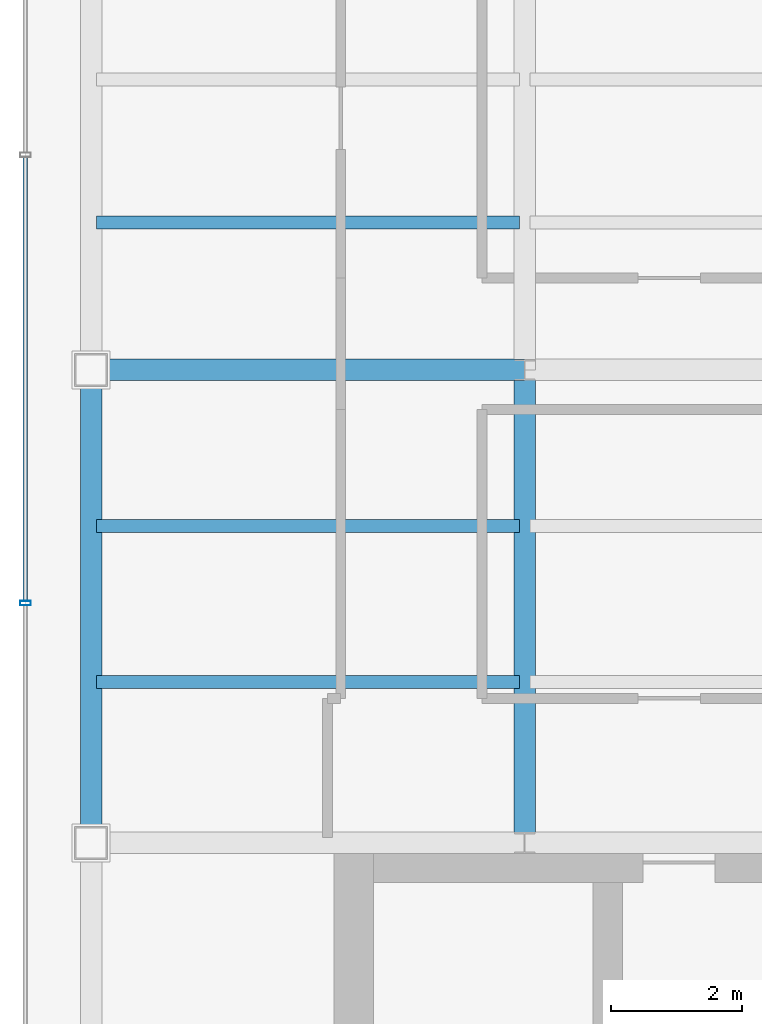
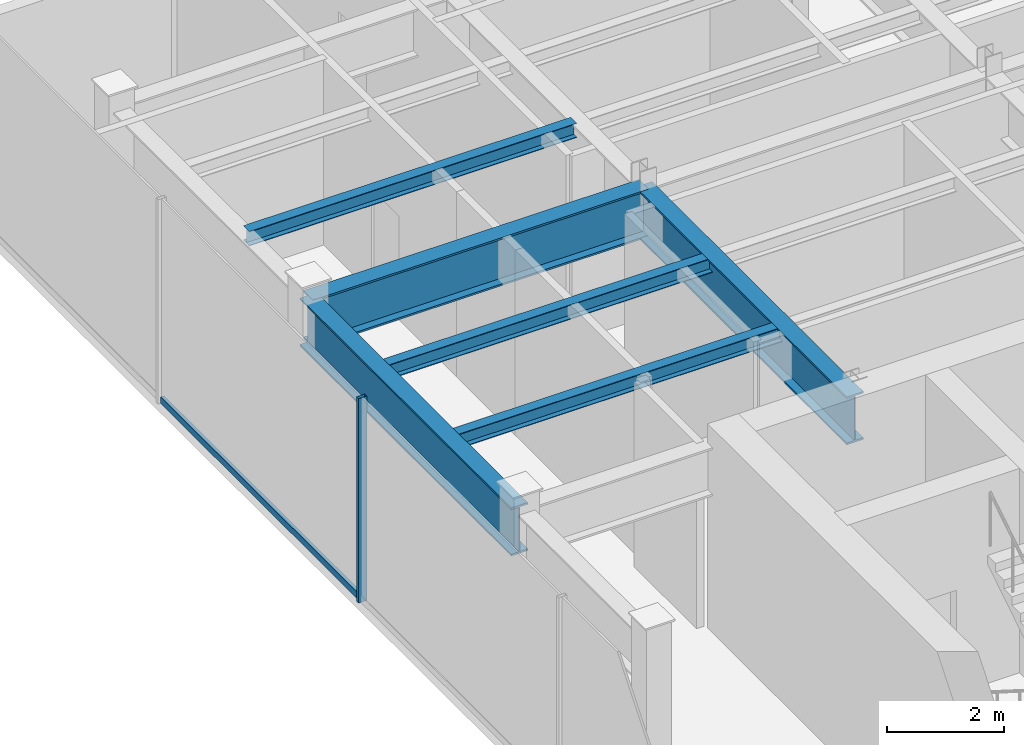
# One storey, part 5 of 24: 6 beams, 2 members, 1 element without a shape of its own.
"""IFC4 building model written with IfcOpenShell, lengths in metres."""

import ifcopenshell
import ifcopenshell.guid

model = None  # the IFC model being written
_history = None  # IfcOwnerHistory: only IFC2X3 demands one
_inside = {}  # id of a spatial element -> (the spatial element, [elements in it])
_under = {}  # id of a project, library or spatial element -> (it, [spatial elements below it])
_declared = {}  # id of a project -> (the project, [libraries it declares])
_typed = {}  # id of a type object -> (the type object, [elements of that type])
_made_of = {}  # id of a material, layer set ... -> (it, [elements and type objects made of it])


def new_model(schema):
    """Start an empty IFC model of exactly this schema.

    Asked for "IFC4X3", IfcOpenShell would pick the latest addendum, in which some entities
    have other attributes; the version numbers below select the first issue.
    IFC2X3 requires an IfcOwnerHistory on every rooted entity: one is made here for all.
    """
    global model, _history
    if schema == "IFC4X3":
        model = ifcopenshell.file(schema_version=(4, 3, 0, 0))
    else:
        model = ifcopenshell.file(schema=schema)
    _inside.clear()
    _under.clear()
    _declared.clear()
    _typed.clear()
    _made_of.clear()
    _history = None
    if model.schema == "IFC2X3":
        org = make("IfcOrganization", Name="unknown")
        user = make(
            "IfcPersonAndOrganization",
            ThePerson=make("IfcPerson", FamilyName="unknown"),
            TheOrganization=org,
        )
        app = make(
            "IfcApplication",
            ApplicationDeveloper=org,
            Version="unknown",
            ApplicationFullName="unknown",
            ApplicationIdentifier="unknown",
        )
        _history = make(
            "IfcOwnerHistory",
            OwningUser=user,
            OwningApplication=app,
            ChangeAction="ADDED",
            CreationDate=0,
        )
    return model


def make(cls, **values):
    """One entity of the class cls with the attributes given. An attribute that is None is left unset."""
    return model.create_entity(
        cls, **{name: value for name, value in values.items() if value is not None}
    )


def rooted(cls, **values):
    """An entity with a GlobalId (a new one), such as an element, a storey or a relation."""
    return make(cls, GlobalId=ifcopenshell.guid.new(), OwnerHistory=_history, **values)


def si_unit(unit_type, name, prefix=None):
    """IfcSIUnit, for example si_unit("LENGTHUNIT", "METRE", prefix="MILLI")."""
    return make("IfcSIUnit", UnitType=unit_type, Prefix=prefix, Name=name)


def derived_unit(unit_type, elements):
    """IfcDerivedUnit: a product of units, each with its exponent."""
    return make(
        "IfcDerivedUnit",
        Elements=[
            make("IfcDerivedUnitElement", Unit=unit, Exponent=power)
            for unit, power in elements
        ],
        UnitType=unit_type,
    )


def assignment(units):
    """IfcUnitAssignment: the units of a project."""
    return None if units is None else make("IfcUnitAssignment", Units=units)


def point(xyz):
    """IfcCartesianPoint."""
    return None if xyz is None else make("IfcCartesianPoint", Coordinates=xyz)


def direction(xyz):
    """IfcDirection."""
    return None if xyz is None else make("IfcDirection", DirectionRatios=xyz)


def frame(location, z_axis=None, x_axis=None):
    """IfcAxis2Placement3D, a coordinate frame: its origin and axes. An axis left out is left unset."""
    return make(
        "IfcAxis2Placement3D",
        Location=point(location),
        Axis=direction(z_axis),
        RefDirection=direction(x_axis),
    )


def frame_2d(location, x_axis=None):
    """IfcAxis2Placement2D, a coordinate frame in the plane: its origin and x axis."""
    return make(
        "IfcAxis2Placement2D", Location=point(location), RefDirection=direction(x_axis)
    )


def origin():
    """The frame at (0, 0, 0) with its axes left unset."""
    return frame((0.0, 0.0, 0.0))


def origin_2d():
    """The frame at (0, 0) in the plane with its x axis left unset."""
    return frame_2d((0.0, 0.0))


def place(relative_to, where):
    """IfcLocalPlacement: puts the frame where relative to a parent placement (None: the world)."""
    return make(
        "IfcLocalPlacement", PlacementRelTo=relative_to, RelativePlacement=where
    )


def context(
    kind, dimensions, precision=None, world=None, true_north=None, identifier=None
):
    """IfcGeometricRepresentationContext, for example the 3D "Model" context."""
    return make(
        "IfcGeometricRepresentationContext",
        ContextIdentifier=identifier,
        ContextType=kind,
        CoordinateSpaceDimension=dimensions,
        Precision=precision,
        WorldCoordinateSystem=world,
        TrueNorth=true_north,
    )


def subcontext(parent, identifier, kind, view, scale=None):
    """IfcGeometricRepresentationSubContext, for example "Body" below "Model"."""
    return make(
        "IfcGeometricRepresentationSubContext",
        ContextIdentifier=identifier,
        ContextType=kind,
        ParentContext=parent,
        TargetScale=scale,
        TargetView=view,
    )


def project(units=None, contexts=None):
    """IfcProject with its units and contexts."""
    return rooted(
        "IfcProject",
        Name="project",
        RepresentationContexts=contexts,
        UnitsInContext=assignment(units),
    )


def spatial(cls, under=None, at=None, **own):
    """A site, building, storey or space (cls), placed at a placement, below another one or the project."""
    s = rooted(cls, ObjectPlacement=at, **own)
    if under is not None:
        _under.setdefault(under.id(), (under, []))[1].append(s)
    return s


def profile(cls, at=None, kind="AREA", **sizes):
    """A parametric profile (cls). Its sizes go by their IFC names, for example OverallWidth=200.0."""
    return make(cls, ProfileType=kind, Position=at, **sizes)


def hollow_rectangle(**sizes):
    """IfcRectangleHollowProfileDef."""
    return profile("IfcRectangleHollowProfileDef", **sizes)


def i_section(**sizes):
    """IfcIShapeProfileDef."""
    return profile("IfcIShapeProfileDef", **sizes)


def extrude(swept, where, along, depth):
    """IfcExtrudedAreaSolid: the profile swept, set in the frame where, extruded along a direction by depth."""
    return make(
        "IfcExtrudedAreaSolid",
        SweptArea=swept,
        Position=where,
        ExtrudedDirection=direction(along),
        Depth=depth,
    )


def shape(context_of_items, identifier, shape_type, items):
    """IfcShapeRepresentation: the items that make up one representation, for example the "Body"."""
    return make(
        "IfcShapeRepresentation",
        ContextOfItems=context_of_items,
        RepresentationIdentifier=identifier,
        RepresentationType=shape_type,
        Items=items,
    )


def source(mapping_origin, context_of_items, identifier, shape_type, items):
    """IfcRepresentationMap: a shape defined once, which mapped items show again and again."""
    return make(
        "IfcRepresentationMap",
        MappingOrigin=mapping_origin,
        MappedRepresentation=shape(context_of_items, identifier, shape_type, items),
    )


def transform(
    local_origin,
    x_axis=None,
    y_axis=None,
    z_axis=None,
    scale=None,
    scale2=None,
    scale3=None,
    uniform=True,
):
    """IfcCartesianTransformationOperator3D, or its non-uniform kind. x_axis, y_axis, z_axis: its Axis1, 2, 3."""
    if uniform:
        return make(
            "IfcCartesianTransformationOperator3D",
            Axis1=direction(x_axis),
            Axis2=direction(y_axis),
            LocalOrigin=point(local_origin),
            Scale=scale,
            Axis3=direction(z_axis),
        )
    return make(
        "IfcCartesianTransformationOperator3DnonUniform",
        Axis1=direction(x_axis),
        Axis2=direction(y_axis),
        LocalOrigin=point(local_origin),
        Scale=scale,
        Axis3=direction(z_axis),
        Scale2=scale2,
        Scale3=scale3,
    )


def mapped(mapping_source, mapping_target):
    """IfcMappedItem: shows the shape of a source again, moved by a transform."""
    return make(
        "IfcMappedItem", MappingSource=mapping_source, MappingTarget=mapping_target
    )


def material(Name=None, Category=None):
    """IfcMaterial."""
    return make("IfcMaterial", Name=Name, Category=Category)


def material_profile(
    of_material, cross_section, Name=None, Category=None, Priority=None
):
    """IfcMaterialProfile: a cross section and its material."""
    return make(
        "IfcMaterialProfile",
        Name=Name,
        Material=of_material,
        Profile=cross_section,
        Priority=Priority,
        Category=Category,
    )


def profile_set(profiles, Name=None, composite=None):
    """IfcMaterialProfileSet."""
    return make(
        "IfcMaterialProfileSet",
        Name=Name,
        MaterialProfiles=profiles,
        CompositeProfile=composite,
    )


def made_of(thing, what):
    """Note that an element or type object is made of a material, layer set ...; save() writes the relation."""
    if what is not None:
        _made_of.setdefault(what.id(), (what, []))[1].append(thing)
    return thing


def type_object(cls, material=None, **own):
    """A type object (cls), such as IfcWallType, which elements share."""
    return made_of(rooted(cls, **own), material)


def element(
    cls,
    number,
    at=None,
    inside=None,
    cuts=None,
    type_object=None,
    material=None,
    context=None,
    identifier="Body",
    shape_type=None,
    held_by="IfcProductDefinitionShape",
    body=None,
    shapes=None,
    **own,
):
    """One element of the class cls, such as IfcWall. Its Tag is "e" and its number.

    at: its placement. inside: the storey or other place that contains it. cuts: it is an
    opening in that element (IfcRelVoidsElement). A single representation is given by context,
    identifier, shape_type and body (its items); several are given by shapes. held_by: the class
    of the entity that holds the representations. save() writes the other relations.
    """
    e = rooted(cls, Tag="e%d" % number, ObjectPlacement=at, **own)
    if body is not None:
        shapes = [shape(context, identifier, shape_type, body)]
    if shapes is not None:
        e.Representation = make(held_by, Representations=shapes)
    if inside is not None:
        _inside.setdefault(inside.id(), (inside, []))[1].append(e)
    if cuts is not None:
        rooted(
            "IfcRelVoidsElement", RelatingBuildingElement=cuts, RelatedOpeningElement=e
        )
    if type_object is not None:
        _typed.setdefault(type_object.id(), (type_object, []))[1].append(e)
    return made_of(e, material)


def aggregate(whole, parts):
    """IfcRelAggregates: a whole, such as a stair, and the parts it consists of."""
    return rooted("IfcRelAggregates", RelatingObject=whole, RelatedObjects=parts)


def save(model, path):
    """Write the relations noted so far, then the file.

    IfcRelAggregates (storeys below a building ...), IfcRelContainedInSpatialStructure (elements
    in a storey), IfcRelDefinesByType, IfcRelAssociatesMaterial and IfcRelDeclares: one each for
    every whole, place, type object, material and project.
    """
    for whole, parts in _under.values():
        aggregate(whole, parts)
    for where, things in _inside.values():
        rooted(
            "IfcRelContainedInSpatialStructure",
            RelatedElements=things,
            RelatingStructure=where,
        )
    for kind, things in _typed.values():
        rooted("IfcRelDefinesByType", RelatedObjects=things, RelatingType=kind)
    for what, things in _made_of.values():
        rooted("IfcRelAssociatesMaterial", RelatedObjects=things, RelatingMaterial=what)
    for by, libraries in _declared.values():
        rooted("IfcRelDeclares", RelatingContext=by, RelatedDefinitions=libraries)
    model.write(path)


model = new_model("IFC4")

# Units and contexts
model_context = context("Model", 3, precision=1e-05, world=origin(), true_north=direction((0.0, 1.0)))
body_context = subcontext(model_context, "Body", "Model", "MODEL_VIEW")
ifc_project = project(units=[si_unit("LENGTHUNIT", "METRE"), si_unit("AREAUNIT", "SQUARE_METRE"), si_unit("VOLUMEUNIT", "CUBIC_METRE"), si_unit("PLANEANGLEUNIT", "RADIAN"), si_unit("MASSUNIT", "GRAM", prefix="KILO"), derived_unit("THERMALTRANSMITTANCEUNIT", [(si_unit("POWERUNIT", "WATT"), 1), (si_unit("LENGTHUNIT", "METRE"), -2), (si_unit("THERMODYNAMICTEMPERATUREUNIT", "KELVIN"), -1)])], contexts=[model_context])

# Site, building, storey
site_placement = place(None, origin())
site = spatial("IfcSite", under=ifc_project, at=site_placement, CompositionType="ELEMENT")
building_placement = place(site_placement, origin())
building = spatial("IfcBuilding", under=site, at=building_placement, Name="Skarnbrae Concourse Arena and Tower", CompositionType="ELEMENT")
storey_placement = place(building_placement, frame((0.0, 0.0, 288.0)))
storey = spatial("IfcBuildingStorey", under=building, at=storey_placement, Name="L75", CompositionType="ELEMENT", Elevation=288.0)

# Beams
ifc_material_1 = material(Name="Steel CSA G40.21 350W", Category="steel")
ifc_material_profile_1 = material_profile(ifc_material_1, i_section(OverallWidth=0.327880859375, OverallDepth=1.0, WebThickness=0.02099609375, FlangeThickness=0.03759765625, at=origin_2d()), Name="W1000X371")
ifc_profile_set_1 = profile_set([ifc_material_profile_1], Name="Steel CSA G40.21 350W")
beam_type_1 = type_object("IfcBeamType", Name="BM-XFER-W1000X371", PredefinedType="BEAM", material=ifc_profile_set_1)
shared_shape_1 = source(origin(), body_context, "Body", "SweptSolid", [
    extrude(i_section(OverallWidth=0.327880859375, OverallDepth=1.0, WebThickness=0.02099609375, FlangeThickness=0.03759765625, at=origin_2d()), origin(), (0.0, 0.0, 1.0), 6.60009765625),
])
beam_placement = place(storey_placement, frame((1.0, 21.199951171875, 3.35009765625), z_axis=(1.0, 0.0, 0.0), x_axis=(0.0, 1.0, 0.0)))
element("IfcBeam", 1, at=beam_placement, inside=storey, type_object=beam_type_1, Name="L75 Primary E-W girder Y21.2-1", PredefinedType="BEAM", context=body_context, shape_type="MappedRepresentation", body=[
    mapped(shared_shape_1, transform((0.0, 0.0, 0.0))),
])
shared_shape_2 = source(origin(), body_context, "Body", "SweptSolid", [
    extrude(i_section(OverallWidth=0.327880859375, OverallDepth=1.0, WebThickness=0.02099609375, FlangeThickness=0.03759765625, at=origin_2d()), origin(), (0.0, 0.0, 1.0), 7.199951171875),
])
for number, where, z_axis, x_axis, name in (
    (2, (1.0, 14.0, 3.35009765625), (0.0, 1.0, 0.0), (-1.0, 0.0, 0.0), "L75 Perimeter spandrel X1.0-2"),
    (3, (7.60009765625, 14.0, 3.35009765625), (0.0, 1.0, 0.0), (-1.0, 0.0, 0.0), "L75 Primary N-S girder X7.6-1"),
):
    element("IfcBeam", number, at=place(storey_placement, frame(where, z_axis=z_axis, x_axis=x_axis)), inside=storey, type_object=beam_type_1, Name=name, PredefinedType="BEAM", context=body_context, shape_type="MappedRepresentation", body=[
        mapped(shared_shape_2, transform((0.0, 0.0, 0.0))),
    ])
ifc_material_profile_2 = material_profile(ifc_material_1, i_section(OverallWidth=0.202880859375, OverallDepth=0.302978515625, WebThickness=0.007568359375, FlangeThickness=0.01318359375, at=origin_2d()), Name="W310X60")
ifc_profile_set_2 = profile_set([ifc_material_profile_2], Name="Steel CSA G40.21 350W")
beam_type_2 = type_object("IfcBeamType", Name="BM-JOIST-W310X60", PredefinedType="JOIST", material=ifc_profile_set_2)
shared_shape_3 = source(origin(), body_context, "Body", "SweptSolid", [
    extrude(i_section(OverallWidth=0.202880859375, OverallDepth=0.302978515625, WebThickness=0.007568359375, FlangeThickness=0.01318359375, at=origin_2d()), origin(), (0.0, 0.0, 1.0), 6.43994140625),
])
for number, where, z_axis, x_axis, name in (
    (4, (1.080078125, 16.447998046875, 3.698486328125), (1.0, 0.0, 0.0), (0.0, 1.0, 0.0), "L75 Secondary floor joist 1.1.1"),
    (5, (1.080078125, 18.823974609375, 3.698486328125), (1.0, 0.0, 0.0), (0.0, 1.0, 0.0), "L75 Secondary floor joist 1.2.1"),
    (6, (1.080078125, 23.444091796875, 3.698486328125), (1.0, 0.0, 0.0), (0.0, 1.0, 0.0), "L75 Secondary floor joist 2.1.1"),
):
    element("IfcBeam", number, at=place(storey_placement, frame(where, z_axis=z_axis, x_axis=x_axis)), inside=storey, type_object=beam_type_2, Name=name, PredefinedType="JOIST", context=body_context, shape_type="MappedRepresentation", body=[
        mapped(shared_shape_3, transform((0.0, 0.0, 0.0))),
    ])

# Curtain wall, members
ifc_material_2 = material(Name="Bronze anodised aluminium 6063-T6", Category="aluminium")
curtain_wall_type = type_object("IfcCurtainWallType", Name="CW-SYS-06-SKYLOBBY", PredefinedType="USERDEFINED", material=ifc_material_2)
curtain_wall_placement = place(storey_placement, origin())
curtain_wall = element("IfcCurtainWall", 7, at=curtain_wall_placement, inside=storey, type_object=curtain_wall_type, Name="L75 Unitised curtain wall CW-L75-E18", ObjectType="UNITISED CURTAIN WALL", PredefinedType="USERDEFINED")
ifc_material_profile_3 = material_profile(ifc_material_2, hollow_rectangle(XDim=0.070068359375, YDim=0.1650390625, WallThickness=0.00390625, at=origin_2d()), Name="ALU-MULL-70X165")
ifc_profile_set_3 = profile_set([ifc_material_profile_3], Name="Bronze anodised aluminium 6063-T6")
member_type_1 = type_object("IfcMemberType", Name="CWM-CW-06", PredefinedType="MULLION", material=ifc_profile_set_3)
shared_shape_4 = source(origin(), body_context, "Body", "SweptSolid", [
    extrude(hollow_rectangle(XDim=0.070068359375, YDim=0.1650390625, WallThickness=0.00390625, at=origin_2d()), origin(), (0.0, 0.0, 1.0), 4.25),
])
member_1_placement = place(storey_placement, frame((0.0, 17.64990234375, 0.0), z_axis=(0.0, 0.0, 1.0), x_axis=(0.0, -1.0, 0.0)))
member_1 = element("IfcMember", 8, at=member_1_placement, type_object=member_type_1, Name="CW-L75-E18 Mullion 3", PredefinedType="MULLION", context=body_context, shape_type="MappedRepresentation", body=[
    mapped(shared_shape_4, transform((0.0, 0.0, 0.0))),
])
ifc_material_profile_4 = material_profile(ifc_material_2, hollow_rectangle(XDim=0.070068359375, YDim=0.135009765625, WallThickness=0.00390625, at=origin_2d()), Name="ALU-TRAN-70X135")
ifc_profile_set_4 = profile_set([ifc_material_profile_4], Name="Bronze anodised aluminium 6063-T6")
member_type_2 = type_object("IfcMemberType", Name="CWT-CW-06", PredefinedType="USERDEFINED", material=ifc_profile_set_4)
shared_shape_5 = source(origin(), body_context, "Body", "SweptSolid", [
    extrude(hollow_rectangle(XDim=0.070068359375, YDim=0.135009765625, WallThickness=0.00390625, at=origin_2d()), origin(), (0.0, 0.0, 1.0), 6.7548828125),
])
member_2_placement = place(storey_placement, frame((0.0, 24.43994140625, 0.0673828125), z_axis=(0.0, -1.0, 0.0), x_axis=(1.0, 0.0, 0.0)))
member_2 = element("IfcMember", 9, at=member_2_placement, type_object=member_type_2, Name="CW-L75-E18 Transom 2", ObjectType="TRANSOM", PredefinedType="USERDEFINED", context=body_context, shape_type="MappedRepresentation", body=[
    mapped(shared_shape_5, transform((0.0, 0.0, 0.0))),
])
aggregate(curtain_wall, [member_1, member_2])

save(model, "model.ifc")
